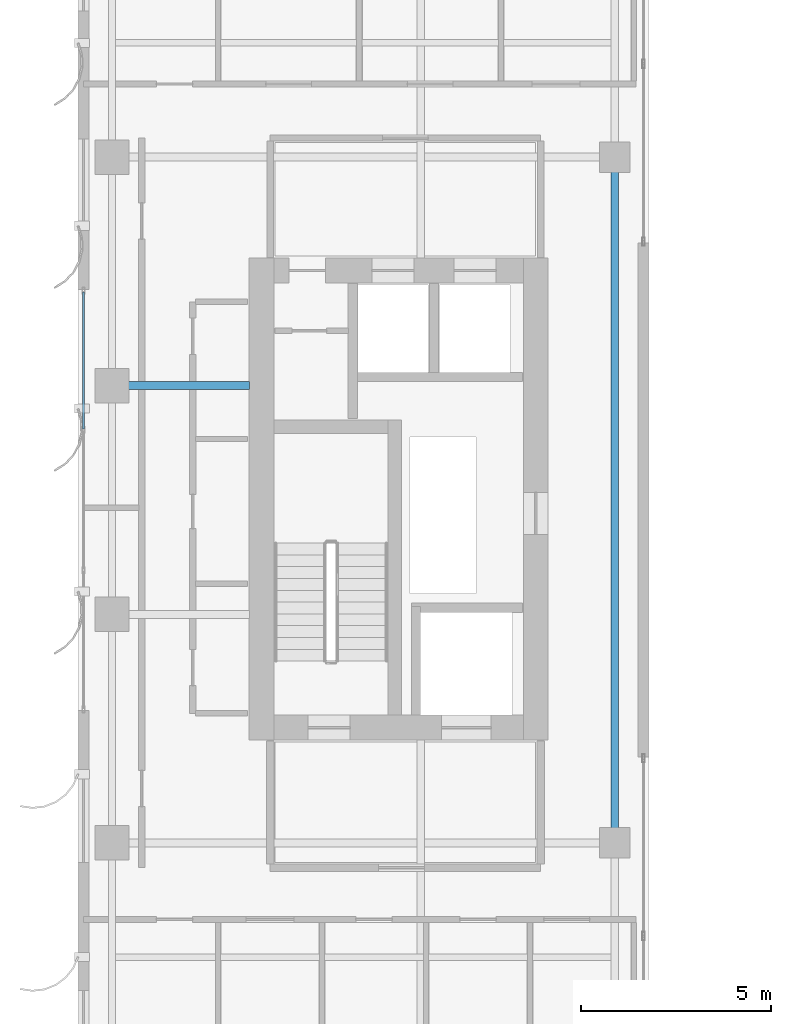
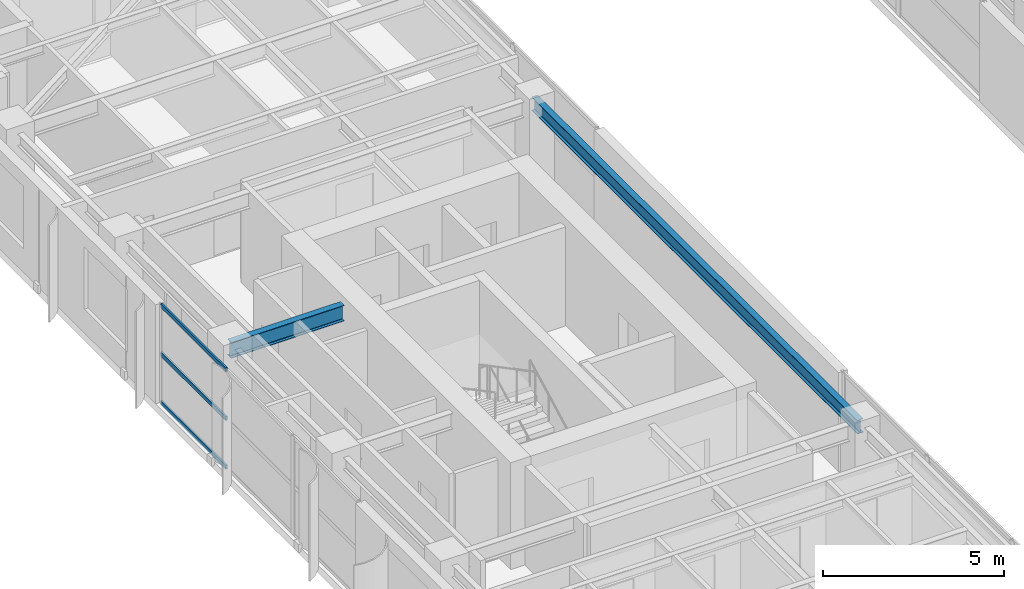
# One storey, part 7 of 22: 3 members, 2 beams, 1 element without a shape of its own.
"""IFC4 building model written with IfcOpenShell, lengths in metres."""

import ifcopenshell
import ifcopenshell.guid

model = None  # the IFC model being written
_history = None  # IfcOwnerHistory: only IFC2X3 demands one
_inside = {}  # id of a spatial element -> (the spatial element, [elements in it])
_under = {}  # id of a project, library or spatial element -> (it, [spatial elements below it])
_declared = {}  # id of a project -> (the project, [libraries it declares])
_typed = {}  # id of a type object -> (the type object, [elements of that type])
_made_of = {}  # id of a material, layer set ... -> (it, [elements and type objects made of it])


def new_model(schema):
    """Start an empty IFC model of exactly this schema.

    Asked for "IFC4X3", IfcOpenShell would pick the latest addendum, in which some entities
    have other attributes; the version numbers below select the first issue.
    IFC2X3 requires an IfcOwnerHistory on every rooted entity: one is made here for all.
    """
    global model, _history
    if schema == "IFC4X3":
        model = ifcopenshell.file(schema_version=(4, 3, 0, 0))
    else:
        model = ifcopenshell.file(schema=schema)
    _inside.clear()
    _under.clear()
    _declared.clear()
    _typed.clear()
    _made_of.clear()
    _history = None
    if model.schema == "IFC2X3":
        org = make("IfcOrganization", Name="unknown")
        user = make(
            "IfcPersonAndOrganization",
            ThePerson=make("IfcPerson", FamilyName="unknown"),
            TheOrganization=org,
        )
        app = make(
            "IfcApplication",
            ApplicationDeveloper=org,
            Version="unknown",
            ApplicationFullName="unknown",
            ApplicationIdentifier="unknown",
        )
        _history = make(
            "IfcOwnerHistory",
            OwningUser=user,
            OwningApplication=app,
            ChangeAction="ADDED",
            CreationDate=0,
        )
    return model


def make(cls, **values):
    """One entity of the class cls with the attributes given. An attribute that is None is left unset."""
    return model.create_entity(
        cls, **{name: value for name, value in values.items() if value is not None}
    )


def rooted(cls, **values):
    """An entity with a GlobalId (a new one), such as an element, a storey or a relation."""
    return make(cls, GlobalId=ifcopenshell.guid.new(), OwnerHistory=_history, **values)


def si_unit(unit_type, name, prefix=None):
    """IfcSIUnit, for example si_unit("LENGTHUNIT", "METRE", prefix="MILLI")."""
    return make("IfcSIUnit", UnitType=unit_type, Prefix=prefix, Name=name)


def assignment(units):
    """IfcUnitAssignment: the units of a project."""
    return None if units is None else make("IfcUnitAssignment", Units=units)


def point(xyz):
    """IfcCartesianPoint."""
    return None if xyz is None else make("IfcCartesianPoint", Coordinates=xyz)


def direction(xyz):
    """IfcDirection."""
    return None if xyz is None else make("IfcDirection", DirectionRatios=xyz)


def frame(location, z_axis=None, x_axis=None):
    """IfcAxis2Placement3D, a coordinate frame: its origin and axes. An axis left out is left unset."""
    return make(
        "IfcAxis2Placement3D",
        Location=point(location),
        Axis=direction(z_axis),
        RefDirection=direction(x_axis),
    )


def frame_2d(location, x_axis=None):
    """IfcAxis2Placement2D, a coordinate frame in the plane: its origin and x axis."""
    return make(
        "IfcAxis2Placement2D", Location=point(location), RefDirection=direction(x_axis)
    )


def origin():
    """The frame at (0, 0, 0) with its axes left unset."""
    return frame((0.0, 0.0, 0.0))


def origin_2d():
    """The frame at (0, 0) in the plane with its x axis left unset."""
    return frame_2d((0.0, 0.0))


def place(relative_to, where):
    """IfcLocalPlacement: puts the frame where relative to a parent placement (None: the world)."""
    return make(
        "IfcLocalPlacement", PlacementRelTo=relative_to, RelativePlacement=where
    )


def context(
    kind, dimensions, precision=None, world=None, true_north=None, identifier=None
):
    """IfcGeometricRepresentationContext, for example the 3D "Model" context."""
    return make(
        "IfcGeometricRepresentationContext",
        ContextIdentifier=identifier,
        ContextType=kind,
        CoordinateSpaceDimension=dimensions,
        Precision=precision,
        WorldCoordinateSystem=world,
        TrueNorth=true_north,
    )


def subcontext(parent, identifier, kind, view, scale=None):
    """IfcGeometricRepresentationSubContext, for example "Body" below "Model"."""
    return make(
        "IfcGeometricRepresentationSubContext",
        ContextIdentifier=identifier,
        ContextType=kind,
        ParentContext=parent,
        TargetScale=scale,
        TargetView=view,
    )


def project(units=None, contexts=None):
    """IfcProject with its units and contexts."""
    return rooted(
        "IfcProject",
        Name="project",
        RepresentationContexts=contexts,
        UnitsInContext=assignment(units),
    )


def spatial(cls, under=None, at=None, **own):
    """A site, building, storey or space (cls), placed at a placement, below another one or the project."""
    s = rooted(cls, ObjectPlacement=at, **own)
    if under is not None:
        _under.setdefault(under.id(), (under, []))[1].append(s)
    return s


def profile(cls, at=None, kind="AREA", **sizes):
    """A parametric profile (cls). Its sizes go by their IFC names, for example OverallWidth=200.0."""
    return make(cls, ProfileType=kind, Position=at, **sizes)


def hollow_rectangle(**sizes):
    """IfcRectangleHollowProfileDef."""
    return profile("IfcRectangleHollowProfileDef", **sizes)


def i_section(**sizes):
    """IfcIShapeProfileDef."""
    return profile("IfcIShapeProfileDef", **sizes)


def extrude(swept, where, along, depth):
    """IfcExtrudedAreaSolid: the profile swept, set in the frame where, extruded along a direction by depth."""
    return make(
        "IfcExtrudedAreaSolid",
        SweptArea=swept,
        Position=where,
        ExtrudedDirection=direction(along),
        Depth=depth,
    )


def shape(context_of_items, identifier, shape_type, items):
    """IfcShapeRepresentation: the items that make up one representation, for example the "Body"."""
    return make(
        "IfcShapeRepresentation",
        ContextOfItems=context_of_items,
        RepresentationIdentifier=identifier,
        RepresentationType=shape_type,
        Items=items,
    )


def source(mapping_origin, context_of_items, identifier, shape_type, items):
    """IfcRepresentationMap: a shape defined once, which mapped items show again and again."""
    return make(
        "IfcRepresentationMap",
        MappingOrigin=mapping_origin,
        MappedRepresentation=shape(context_of_items, identifier, shape_type, items),
    )


def transform(
    local_origin,
    x_axis=None,
    y_axis=None,
    z_axis=None,
    scale=None,
    scale2=None,
    scale3=None,
    uniform=True,
):
    """IfcCartesianTransformationOperator3D, or its non-uniform kind. x_axis, y_axis, z_axis: its Axis1, 2, 3."""
    if uniform:
        return make(
            "IfcCartesianTransformationOperator3D",
            Axis1=direction(x_axis),
            Axis2=direction(y_axis),
            LocalOrigin=point(local_origin),
            Scale=scale,
            Axis3=direction(z_axis),
        )
    return make(
        "IfcCartesianTransformationOperator3DnonUniform",
        Axis1=direction(x_axis),
        Axis2=direction(y_axis),
        LocalOrigin=point(local_origin),
        Scale=scale,
        Axis3=direction(z_axis),
        Scale2=scale2,
        Scale3=scale3,
    )


def mapped(mapping_source, mapping_target):
    """IfcMappedItem: shows the shape of a source again, moved by a transform."""
    return make(
        "IfcMappedItem", MappingSource=mapping_source, MappingTarget=mapping_target
    )


def material(Name=None, Category=None):
    """IfcMaterial."""
    return make("IfcMaterial", Name=Name, Category=Category)


def layer(
    of_material, thickness, ventilated=None, Name=None, Category=None, Priority=None
):
    """IfcMaterialLayer: one layer of a wall or slab, of a material (None: an air gap)."""
    return make(
        "IfcMaterialLayer",
        Material=of_material,
        LayerThickness=thickness,
        IsVentilated=ventilated,
        Name=Name,
        Category=Category,
        Priority=Priority,
    )


def layer_set(layers, Name=None):
    """IfcMaterialLayerSet."""
    return make("IfcMaterialLayerSet", MaterialLayers=layers, LayerSetName=Name)


def material_profile(
    of_material, cross_section, Name=None, Category=None, Priority=None
):
    """IfcMaterialProfile: a cross section and its material."""
    return make(
        "IfcMaterialProfile",
        Name=Name,
        Material=of_material,
        Profile=cross_section,
        Priority=Priority,
        Category=Category,
    )


def profile_set(profiles, Name=None, composite=None):
    """IfcMaterialProfileSet."""
    return make(
        "IfcMaterialProfileSet",
        Name=Name,
        MaterialProfiles=profiles,
        CompositeProfile=composite,
    )


def made_of(thing, what):
    """Note that an element or type object is made of a material, layer set ...; save() writes the relation."""
    if what is not None:
        _made_of.setdefault(what.id(), (what, []))[1].append(thing)
    return thing


def type_object(cls, material=None, **own):
    """A type object (cls), such as IfcWallType, which elements share."""
    return made_of(rooted(cls, **own), material)


def element(
    cls,
    number,
    at=None,
    inside=None,
    cuts=None,
    type_object=None,
    material=None,
    context=None,
    identifier="Body",
    shape_type=None,
    held_by="IfcProductDefinitionShape",
    body=None,
    shapes=None,
    **own,
):
    """One element of the class cls, such as IfcWall. Its Tag is "e" and its number.

    at: its placement. inside: the storey or other place that contains it. cuts: it is an
    opening in that element (IfcRelVoidsElement). A single representation is given by context,
    identifier, shape_type and body (its items); several are given by shapes. held_by: the class
    of the entity that holds the representations. save() writes the other relations.
    """
    e = rooted(cls, Tag="e%d" % number, ObjectPlacement=at, **own)
    if body is not None:
        shapes = [shape(context, identifier, shape_type, body)]
    if shapes is not None:
        e.Representation = make(held_by, Representations=shapes)
    if inside is not None:
        _inside.setdefault(inside.id(), (inside, []))[1].append(e)
    if cuts is not None:
        rooted(
            "IfcRelVoidsElement", RelatingBuildingElement=cuts, RelatedOpeningElement=e
        )
    if type_object is not None:
        _typed.setdefault(type_object.id(), (type_object, []))[1].append(e)
    return made_of(e, material)


def aggregate(whole, parts):
    """IfcRelAggregates: a whole, such as a stair, and the parts it consists of."""
    return rooted("IfcRelAggregates", RelatingObject=whole, RelatedObjects=parts)


def save(model, path):
    """Write the relations noted so far, then the file.

    IfcRelAggregates (storeys below a building ...), IfcRelContainedInSpatialStructure (elements
    in a storey), IfcRelDefinesByType, IfcRelAssociatesMaterial and IfcRelDeclares: one each for
    every whole, place, type object, material and project.
    """
    for whole, parts in _under.values():
        aggregate(whole, parts)
    for where, things in _inside.values():
        rooted(
            "IfcRelContainedInSpatialStructure",
            RelatedElements=things,
            RelatingStructure=where,
        )
    for kind, things in _typed.values():
        rooted("IfcRelDefinesByType", RelatedObjects=things, RelatingType=kind)
    for what, things in _made_of.values():
        rooted("IfcRelAssociatesMaterial", RelatedObjects=things, RelatingMaterial=what)
    for by, libraries in _declared.values():
        rooted("IfcRelDeclares", RelatingContext=by, RelatedDefinitions=libraries)
    model.write(path)


model = new_model("IFC4")

# Units and contexts
model_context = context("Model", 3, precision=1e-05, world=origin(), true_north=direction((0.0, 1.0)))
body_context = subcontext(model_context, "Body", "Model", "MODEL_VIEW")
ifc_project = project(units=[si_unit("LENGTHUNIT", "METRE"), si_unit("AREAUNIT", "SQUARE_METRE"), si_unit("VOLUMEUNIT", "CUBIC_METRE"), si_unit("PLANEANGLEUNIT", "RADIAN"), si_unit("MASSUNIT", "GRAM", prefix="KILO")], contexts=[model_context])

# Site, building, storey
site_placement = place(None, origin())
site = spatial("IfcSite", under=ifc_project, at=site_placement, CompositionType="ELEMENT")
building_placement = place(site_placement, origin())
building = spatial("IfcBuilding", under=site, at=building_placement, Name="Khoralis Quay Care Tower", CompositionType="ELEMENT")
storey_placement = place(building_placement, frame((0.0, 0.0, 195.300048828125)))
storey = spatial("IfcBuildingStorey", under=building, at=storey_placement, Name="L51", CompositionType="ELEMENT", Elevation=195.300048828125)

# Beams
ifc_material_1 = material(Name="Steel S355", Category="steel")
ifc_material_profile_1 = material_profile(ifc_material_1, i_section(OverallWidth=0.208984375, OverallDepth=0.532958984375, WebThickness=0.01025390625, FlangeThickness=0.015625, FilletRadius=0.01611328125, at=origin_2d()), Name="Steel S355")
ifc_profile_set_1 = profile_set([ifc_material_profile_1], Name="Steel S355")
beam_type_1 = type_object("IfcBeamType", Name="BM-W530X92", PredefinedType="BEAM", material=ifc_profile_set_1)
shared_shape_1 = source(origin(), body_context, "Body", "SweptSolid", [
    extrude(i_section(OverallWidth=0.208984375, OverallDepth=0.532958984375, WebThickness=0.01025390625, FlangeThickness=0.015625, FilletRadius=0.01611328125, at=origin_2d()), origin(), (0.0, 0.0, 1.0), 3.60205078125),
])
beam_1_placement = place(storey_placement, frame((3.89990234375, 24.0, 3.073486328125), z_axis=(1.0, 0.0, 0.0), x_axis=(0.0, 1.0, 0.0)))
element("IfcBeam", 1, at=beam_1_placement, inside=storey, type_object=beam_type_1, Name="BM-TGXW-L51-240", PredefinedType="BEAM", context=body_context, shape_type="MappedRepresentation", body=[
    mapped(shared_shape_1, transform((0.0, 0.0, 0.0), scale=1.0)),
])
ifc_material_profile_2 = material_profile(ifc_material_1, i_section(OverallWidth=0.19189453125, OverallDepth=0.462890625, WebThickness=0.010498046875, FlangeThickness=0.017578125, FilletRadius=0.014892578125, at=origin_2d()), Name="Steel S355")
ifc_profile_set_2 = profile_set([ifc_material_profile_2], Name="Steel S355")
beam_type_2 = type_object("IfcBeamType", Name="BM-W460X89", PredefinedType="BEAM", material=ifc_profile_set_2)
shared_shape_2 = source(origin(), body_context, "Body", "SweptSolid", [
    extrude(i_section(OverallWidth=0.19189453125, OverallDepth=0.462890625, WebThickness=0.010498046875, FlangeThickness=0.017578125, FilletRadius=0.014892578125, at=origin_2d()), origin(), (0.0, 0.0, 1.0), 18.0),
])
beam_2_placement = place(storey_placement, frame((17.10009765625, 12.0, 3.1083984375), z_axis=(0.0, 1.0, 0.0), x_axis=(-1.0, 0.0, 0.0)))
element("IfcBeam", 2, at=beam_2_placement, inside=storey, type_object=beam_type_2, Name="BM-TGSW-L51", PredefinedType="BEAM", context=body_context, shape_type="MappedRepresentation", body=[
    mapped(shared_shape_2, transform((0.0, 0.0, 0.0), scale=1.0)),
])

# Curtain wall, members
ifc_material_2 = material(Name="Pale anodised aluminium", Category="aluminium")
ifc_layer = layer(ifc_material_2, 0.159912109375)
ifc_layer_set = layer_set([ifc_layer], Name="Pale anodised aluminium")
curtain_wall_type = type_object("IfcCurtainWallType", Name="CW-SYS-Z3", PredefinedType="NOTDEFINED", material=ifc_layer_set)
curtain_wall_placement = place(storey_placement, origin())
curtain_wall = element("IfcCurtainWall", 3, at=curtain_wall_placement, inside=storey, type_object=curtain_wall_type, Name="L51 Unitised Curtain Wall CW-L51-P1-E7", PredefinedType="NOTDEFINED")
ifc_material_profile_3 = material_profile(ifc_material_2, hollow_rectangle(XDim=0.06005859375, YDim=0.139892578125, WallThickness=0.00390625, at=origin_2d()), Name="Pale anodised aluminium")
ifc_profile_set_3 = profile_set([ifc_material_profile_3], Name="Pale anodised aluminium")
member_type = type_object("IfcMemberType", Name="CW-TRN-140", PredefinedType="USERDEFINED", material=ifc_profile_set_3)
shared_shape_3 = source(origin(), body_context, "Body", "SweptSolid", [
    extrude(hollow_rectangle(XDim=0.06005859375, YDim=0.139892578125, WallThickness=0.00390625, at=origin_2d()), origin(), (0.0, 0.0, 1.0), 3.58984375),
])
member_1_placement = place(storey_placement, frame((3.14990234375, 26.4599609375, 0.030029296875), z_axis=(0.0, -1.0, 0.0), x_axis=(1.0, 0.0, 0.0)))
member_1 = element("IfcMember", 4, at=member_1_placement, type_object=member_type, Name="CW3 transom 1.1", ObjectType="TRANSOM", PredefinedType="USERDEFINED", context=body_context, shape_type="MappedRepresentation", body=[
    mapped(shared_shape_3, transform((0.0, 0.0, 0.0), scale=1.0)),
])
member_2_placement = place(storey_placement, frame((3.14990234375, 26.4599609375, 1.669921875), z_axis=(0.0, -1.0, 0.0), x_axis=(1.0, 0.0, 0.0)))
member_2 = element("IfcMember", 5, at=member_2_placement, type_object=member_type, Name="CW3 transom 1.2", ObjectType="TRANSOM", PredefinedType="USERDEFINED", context=body_context, shape_type="MappedRepresentation", body=[
    mapped(shared_shape_3, transform((0.0, 0.0, 0.0), scale=1.0)),
])
member_3_placement = place(storey_placement, frame((3.14990234375, 26.4599609375, 3.31005859375), z_axis=(0.0, -1.0, 0.0), x_axis=(1.0, 0.0, 0.0)))
member_3 = element("IfcMember", 6, at=member_3_placement, type_object=member_type, Name="CW3 transom 1.3", ObjectType="TRANSOM", PredefinedType="USERDEFINED", context=body_context, shape_type="MappedRepresentation", body=[
    mapped(shared_shape_3, transform((0.0, 0.0, 0.0), scale=1.0)),
])
aggregate(curtain_wall, [member_1, member_2, member_3])

save(model, "model.ifc")
